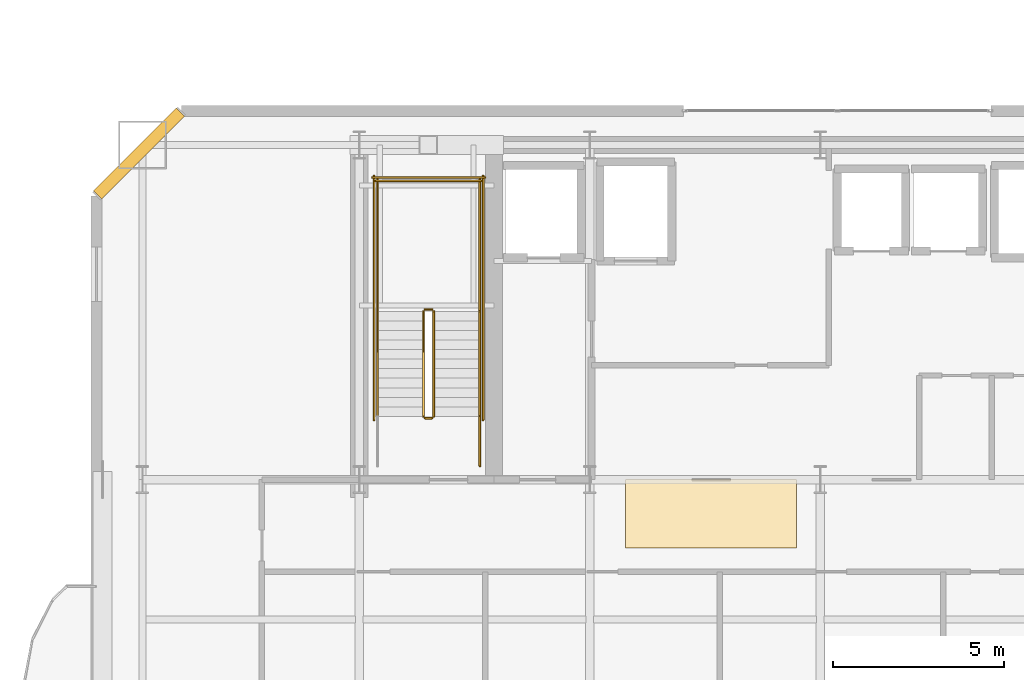
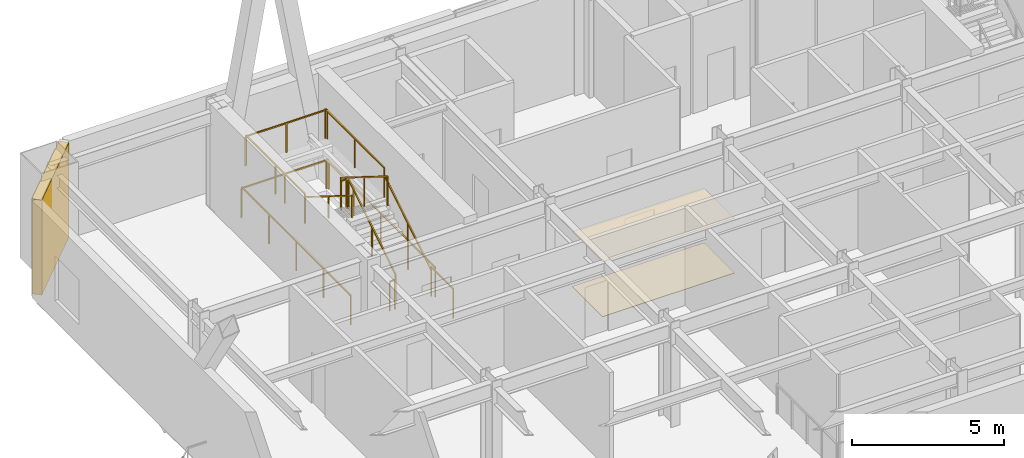
# One storey, part 18 of 22: 13 railings, 2 coverings, 1 shading device.
"""IFC4 building model written with IfcOpenShell, lengths in metres."""

from ifc_helpers import new_model, si_unit, direction, frame, origin, origin_2d, place, context, subcontext, project, spatial, polyline, rectangle, outline, extrude, material, layer, layer_set, type_object, element, save


model = new_model("IFC4")

# Units and contexts
model_context = context("Model", 3, precision=1e-05, world=origin(), true_north=direction((0.0, 1.0)))
body_context = subcontext(model_context, "Body", "Model", "MODEL_VIEW")
ifc_project = project(units=[si_unit("LENGTHUNIT", "METRE"), si_unit("AREAUNIT", "SQUARE_METRE"), si_unit("VOLUMEUNIT", "CUBIC_METRE"), si_unit("PLANEANGLEUNIT", "RADIAN"), si_unit("MASSUNIT", "GRAM", prefix="KILO")], contexts=[model_context])

# Site, building, storey
site_placement = place(None, origin())
site = spatial("IfcSite", under=ifc_project, at=site_placement, CompositionType="ELEMENT")
building_placement = place(site_placement, origin())
building = spatial("IfcBuilding", under=site, at=building_placement, Name="Haevon Station Towers", CompositionType="ELEMENT")
storey_placement = place(building_placement, frame((0.0, 0.0, 133.800048828125)))
storey = spatial("IfcBuildingStorey", under=building, at=storey_placement, Name="L36", CompositionType="ELEMENT", Elevation=133.800048828125)

# Coverings
ifc_material_1 = material(Name="Gypsum acoustic ceiling tile", Category="concrete")
ifc_layer_1 = layer(ifc_material_1, 0.014892578125)
ifc_layer_set_1 = layer_set([ifc_layer_1], Name="Gypsum acoustic ceiling tile")
covering_type_1 = type_object("IfcCoveringType", Name="COV-CEIL15", PredefinedType="CEILING", material=ifc_layer_set_1)
covering_1_placement = place(storey_placement, frame((0.0, 0.0, 2.199951171875)))
element("IfcCovering", 1, at=covering_1_placement, inside=storey, type_object=covering_type_1, Name="L36 Acoustic Corridor Ceiling", PredefinedType="CEILING", context=body_context, shape_type="SweptSolid", body=[
    extrude(outline(polyline([(31.800048828125, 36.199951171875), (36.800048828125, 36.199951171875), (36.800048828125, 38.199951171875), (31.800048828125, 38.199951171875), (31.800048828125, 36.199951171875)])), origin(), (0.0, 0.0, 1.0), 0.014892578125),
])
ifc_material_2 = material(Name="Granite stone paving", Category="masonry")
ifc_layer_2 = layer(ifc_material_2, 0.02001953125)
ifc_layer_set_2 = layer_set([ifc_layer_2], Name="Granite stone paving")
covering_type_2 = type_object("IfcCoveringType", Name="COV-FLR20", PredefinedType="FLOORING", material=ifc_layer_set_2)
covering_2_placement = place(storey_placement, origin())
element("IfcCovering", 2, at=covering_2_placement, inside=storey, type_object=covering_type_2, Name="L36 Corridor Stone Flooring", PredefinedType="FLOORING", context=body_context, shape_type="SweptSolid", body=[
    extrude(outline(polyline([(31.800048828125, 36.199951171875), (36.800048828125, 36.199951171875), (36.800048828125, 38.199951171875), (31.800048828125, 38.199951171875), (31.800048828125, 36.199951171875)])), origin(), (0.0, 0.0, 1.0), 0.02001953125),
])

# Railings
ifc_material_3 = material(Name="Steel S355", Category="steel")
railing_type_1 = type_object("IfcRailingType", Name="GRD-STR1200", PredefinedType="GUARDRAIL", material=ifc_material_3)
railing_1_placement = place(storey_placement, frame((26.179931640625, 40.050048828125, 0.175048828125)))
element("IfcRailing", 3, at=railing_1_placement, inside=storey, type_object=railing_type_1, Name="L36 ST1 Stair Guard 1", PredefinedType="GUARDRAIL", context=body_context, shape_type="SweptSolid", body=[
    extrude(rectangle(XDim=0.048095703125, YDim=0.048095703125, at=origin_2d()), frame((0.0, 0.0, 1.17578125), z_axis=(0.0, 0.848009633417, 0.529980812513), x_axis=(-1.0, 0.0, 0.0)), (0.0, 0.0, 1.0), 3.6318359375),
    extrude(rectangle(XDim=0.0419921875, YDim=0.0419921875, at=origin_2d()), origin(), (0.0, 0.0, 1.0), 1.15185546875),
    extrude(rectangle(XDim=0.0419921875, YDim=0.0419921875, at=origin_2d()), frame((0.0, 1.5400390625, 0.96240234375)), (0.0, 0.0, 1.0), 1.15185546875),
    extrude(rectangle(XDim=0.0419921875, YDim=0.0419921875, at=origin_2d()), frame((0.0, 3.079833984375, 1.9248046875)), (0.0, 0.0, 1.0), 1.15185546875),
])
railing_2_placement = place(storey_placement, frame((26.1298828125, 43.179931640625, 2.099853515625)))
element("IfcRailing", 4, at=railing_2_placement, inside=storey, type_object=railing_type_1, Name="L36 ST1 Stair Guard 2", PredefinedType="GUARDRAIL", context=body_context, shape_type="SweptSolid", body=[
    extrude(rectangle(XDim=0.048095703125, YDim=0.048095703125, at=origin_2d()), frame((0.0, 0.0, 1.17578125), z_axis=(-1.0, 0.0, 0.0), x_axis=(0.0, -1.0, 0.0)), (0.0, 0.0, 1.0), 0.199951171875),
    extrude(rectangle(XDim=0.0419921875, YDim=0.0419921875, at=origin_2d()), origin(), (0.0, 0.0, 1.0), 1.15185546875),
    extrude(rectangle(XDim=0.0419921875, YDim=0.0419921875, at=origin_2d()), frame((-0.199951171875, 0.0, 0.0)), (0.0, 0.0, 1.0), 1.15185546875),
])
for number, where, name in (
    (5, (27.530029296875, 43.1298828125, 2.099853515625), "L36 ST1 Stair Guard 3"),
    (6, (24.530029296875, 43.1298828125, 2.099853515625), "L36 ST1 Stair Guard 4"),
):
    element("IfcRailing", number, at=place(storey_placement, frame(where)), inside=storey, type_object=railing_type_1, Name=name, PredefinedType="GUARDRAIL", context=body_context, shape_type="SweptSolid", body=[
        extrude(rectangle(XDim=0.048095703125, YDim=0.048095703125, at=origin_2d()), frame((0.0, 0.0, 1.17578125), z_axis=(0.0, 1.0, 0.0), x_axis=(-1.0, 0.0, 0.0)), (0.0, 0.0, 1.0), 3.8701171875),
        extrude(rectangle(XDim=0.0419921875, YDim=0.0419921875, at=origin_2d()), origin(), (0.0, 0.0, 1.0), 1.15185546875),
        extrude(rectangle(XDim=0.0419921875, YDim=0.0419921875, at=origin_2d()), frame((0.0, 1.93505859375, 0.0)), (0.0, 0.0, 1.0), 1.15185546875),
        extrude(rectangle(XDim=0.0419921875, YDim=0.0419921875, at=origin_2d()), frame((0.0, 3.8701171875, 0.0)), (0.0, 0.0, 1.0), 1.15185546875),
    ])
railing_3_placement = place(storey_placement, frame((27.580078125, 46.949951171875, 2.099853515625)))
element("IfcRailing", 7, at=railing_3_placement, inside=storey, type_object=railing_type_1, Name="L36 ST1 Stair Guard 5", PredefinedType="GUARDRAIL", context=body_context, shape_type="SweptSolid", body=[
    extrude(rectangle(XDim=0.048095703125, YDim=0.048095703125, at=origin_2d()), frame((0.0, 0.0, 1.17578125), z_axis=(-1.0, 0.0, 0.0), x_axis=(0.0, -1.0, 0.0)), (0.0, 0.0, 1.0), 3.10009765625),
    extrude(rectangle(XDim=0.0419921875, YDim=0.0419921875, at=origin_2d()), origin(), (0.0, 0.0, 1.0), 1.15185546875),
    extrude(rectangle(XDim=0.0419921875, YDim=0.0419921875, at=origin_2d()), frame((-1.550048828125, 0.0, 0.0)), (0.0, 0.0, 1.0), 1.15185546875),
    extrude(rectangle(XDim=0.0419921875, YDim=0.0419921875, at=origin_2d()), frame((-3.10009765625, 0.0, 0.0)), (0.0, 0.0, 1.0), 1.15185546875),
])
railing_4_placement = place(storey_placement, frame((25.8798828125, 43.1298828125, 2.27490234375)))
element("IfcRailing", 8, at=railing_4_placement, inside=storey, type_object=railing_type_1, Name="L36 ST1 Stair Guard 6", PredefinedType="GUARDRAIL", context=body_context, shape_type="SweptSolid", body=[
    extrude(rectangle(XDim=0.048095703125, YDim=0.048095703125, at=origin_2d()), frame((0.0, 0.0, 1.17578125), z_axis=(0.0, -0.847979421464, 0.530029150871), x_axis=(1.0, 0.0, 0.0)), (0.0, 0.0, 1.0), 3.632080078125),
    extrude(rectangle(XDim=0.0419921875, YDim=0.0419921875, at=origin_2d()), origin(), (0.0, 0.0, 1.0), 1.15185546875),
    extrude(rectangle(XDim=0.0419921875, YDim=0.0419921875, at=origin_2d()), frame((0.0, -1.5400390625, 0.96240234375)), (0.0, 0.0, 1.0), 1.15185546875),
    extrude(rectangle(XDim=0.0419921875, YDim=0.0419921875, at=origin_2d()), frame((0.0, -3.079833984375, 1.925048828125)), (0.0, 0.0, 1.0), 1.15185546875),
])
railing_5_placement = place(storey_placement, frame((26.1298828125, 40.0, 0.0)))
element("IfcRailing", 9, at=railing_5_placement, inside=storey, type_object=railing_type_1, Name="L36 ST1 Stair Guard 7", PredefinedType="GUARDRAIL", context=body_context, shape_type="SweptSolid", body=[
    extrude(rectangle(XDim=0.048095703125, YDim=0.048095703125, at=origin_2d()), frame((0.0, 0.0, 1.17578125), z_axis=(-1.0, 0.0, 0.0), x_axis=(0.0, -1.0, 0.0)), (0.0, 0.0, 1.0), 0.199951171875),
    extrude(rectangle(XDim=0.0419921875, YDim=0.0419921875, at=origin_2d()), origin(), (0.0, 0.0, 1.0), 1.15185546875),
    extrude(rectangle(XDim=0.0419921875, YDim=0.0419921875, at=origin_2d()), frame((-0.199951171875, 0.0, 0.0)), (0.0, 0.0, 1.0), 1.15185546875),
])
railing_6_placement = place(storey_placement, frame((27.530029296875, 38.60009765625, 0.0)))
element("IfcRailing", 10, at=railing_6_placement, inside=storey, type_object=railing_type_1, Name="L36 ST1 Stair Guard 8", PredefinedType="GUARDRAIL", context=body_context, shape_type="SweptSolid", body=[
    extrude(rectangle(XDim=0.048095703125, YDim=0.048095703125, at=origin_2d()), frame((0.0, 0.0, 1.17578125), z_axis=(0.0, 1.0, 0.0), x_axis=(-1.0, 0.0, 0.0)), (0.0, 0.0, 1.0), 1.449951171875),
    extrude(rectangle(XDim=0.0419921875, YDim=0.0419921875, at=origin_2d()), origin(), (0.0, 0.0, 1.0), 1.15185546875),
    extrude(rectangle(XDim=0.0419921875, YDim=0.0419921875, at=origin_2d()), frame((0.0, 1.449951171875, 0.0)), (0.0, 0.0, 1.0), 1.15185546875),
])
for number, where, name in (
    (11, (27.6298828125, 39.949951171875, 0.0), "L36 ST1 Stair Guard 10"),
    (12, (24.429931640625, 39.949951171875, 0.0), "L36 ST1 Stair Guard 11"),
):
    element("IfcRailing", number, at=place(storey_placement, frame(where)), inside=storey, type_object=railing_type_1, Name=name, PredefinedType="GUARDRAIL", context=body_context, shape_type="SweptSolid", body=[
        extrude(rectangle(XDim=0.048095703125, YDim=0.048095703125, at=origin_2d()), frame((0.0, 0.0, 1.17578125), z_axis=(0.0, 1.0, 0.0), x_axis=(-1.0, 0.0, 0.0)), (0.0, 0.0, 1.0), 7.150146484375),
        extrude(rectangle(XDim=0.0419921875, YDim=0.0419921875, at=origin_2d()), origin(), (0.0, 0.0, 1.0), 1.15185546875),
        extrude(rectangle(XDim=0.0419921875, YDim=0.0419921875, at=origin_2d()), frame((0.0, 1.78759765625, 0.0)), (0.0, 0.0, 1.0), 1.15185546875),
        extrude(rectangle(XDim=0.0419921875, YDim=0.0419921875, at=origin_2d()), frame((0.0, 3.5751953125, 0.0)), (0.0, 0.0, 1.0), 1.15185546875),
        extrude(rectangle(XDim=0.0419921875, YDim=0.0419921875, at=origin_2d()), frame((0.0, 5.362548828125, 0.0)), (0.0, 0.0, 1.0), 1.15185546875),
        extrude(rectangle(XDim=0.0419921875, YDim=0.0419921875, at=origin_2d()), frame((0.0, 7.150146484375, 0.0)), (0.0, 0.0, 1.0), 1.15185546875),
    ])
railing_7_placement = place(storey_placement, frame((27.679931640625, 47.050048828125, 0.0)))
element("IfcRailing", 13, at=railing_7_placement, inside=storey, type_object=railing_type_1, Name="L36 ST1 Stair Guard 12", PredefinedType="GUARDRAIL", context=body_context, shape_type="SweptSolid", body=[
    extrude(rectangle(XDim=0.048095703125, YDim=0.048095703125, at=origin_2d()), frame((0.0, 0.0, 1.17578125), z_axis=(-1.0, 0.0, 0.0), x_axis=(0.0, -1.0, 0.0)), (0.0, 0.0, 1.0), 3.300048828125),
    extrude(rectangle(XDim=0.0419921875, YDim=0.0419921875, at=origin_2d()), origin(), (0.0, 0.0, 1.0), 1.15185546875),
    extrude(rectangle(XDim=0.0419921875, YDim=0.0419921875, at=origin_2d()), frame((-1.64990234375, 0.0, 0.0)), (0.0, 0.0, 1.0), 1.15185546875),
    extrude(rectangle(XDim=0.0419921875, YDim=0.0419921875, at=origin_2d()), frame((-3.300048828125, 0.0, 0.0)), (0.0, 0.0, 1.0), 1.15185546875),
])
railing_type_2 = type_object("IfcRailingType", Name="HND-STR900", PredefinedType="HANDRAIL", material=ifc_material_3)
railing_8_placement = place(storey_placement, frame((27.530029296875, 40.050048828125, 0.175048828125)))
element("IfcRailing", 14, at=railing_8_placement, inside=storey, type_object=railing_type_2, Name="L36 ST1 Stair Handrail 1", PredefinedType="HANDRAIL", context=body_context, shape_type="SweptSolid", body=[
    extrude(rectangle(XDim=0.048095703125, YDim=0.048095703125, at=origin_2d()), frame((0.0, 0.0, 0.8759765625), z_axis=(0.0, 0.848009633417, 0.529980812513), x_axis=(-1.0, 0.0, 0.0)), (0.0, 0.0, 1.0), 3.6318359375),
    extrude(rectangle(XDim=0.0419921875, YDim=0.0419921875, at=origin_2d()), origin(), (0.0, 0.0, 1.0), 0.851806640625),
    extrude(rectangle(XDim=0.0419921875, YDim=0.0419921875, at=origin_2d()), frame((0.0, 1.5400390625, 0.96240234375)), (0.0, 0.0, 1.0), 0.851806640625),
    extrude(rectangle(XDim=0.0419921875, YDim=0.0419921875, at=origin_2d()), frame((0.0, 3.079833984375, 1.9248046875)), (0.0, 0.0, 1.0), 0.851806640625),
])
railing_9_placement = place(storey_placement, frame((24.530029296875, 43.1298828125, 2.27490234375)))
element("IfcRailing", 15, at=railing_9_placement, inside=storey, type_object=railing_type_2, Name="L36 ST1 Stair Handrail 2", PredefinedType="HANDRAIL", context=body_context, shape_type="SweptSolid", body=[
    extrude(rectangle(XDim=0.048095703125, YDim=0.048095703125, at=origin_2d()), frame((0.0, 0.0, 0.8759765625), z_axis=(0.0, -0.847979421464, 0.530029150871), x_axis=(1.0, 0.0, 0.0)), (0.0, 0.0, 1.0), 3.632080078125),
    extrude(rectangle(XDim=0.0419921875, YDim=0.0419921875, at=origin_2d()), origin(), (0.0, 0.0, 1.0), 0.851806640625),
    extrude(rectangle(XDim=0.0419921875, YDim=0.0419921875, at=origin_2d()), frame((0.0, -1.5400390625, 0.96240234375)), (0.0, 0.0, 1.0), 0.851806640625),
    extrude(rectangle(XDim=0.0419921875, YDim=0.0419921875, at=origin_2d()), frame((0.0, -3.079833984375, 1.925048828125)), (0.0, 0.0, 1.0), 0.851806640625),
])

# Shading device
ifc_material_4 = material(Name="Anodised aluminium 6063-T6", Category="aluminium")
ifc_layer_3 = layer(ifc_material_4, 0.139892578125)
ifc_layer_set_3 = layer_set([ifc_layer_3], Name="Anodised aluminium 6063-T6")
shading_device_type = type_object("IfcShadingDeviceType", Name="SHD-WIND-BAFFLE", PredefinedType="SHUTTER", material=ifc_layer_set_3)
shading_device_placement = place(storey_placement, frame((17.550048828125, 47.75, 0.0498046875), z_axis=(0.0, 0.0, 1.0), x_axis=(0.707106781187, 0.707106781187, 0.0)))
element("IfcShadingDevice", 16, at=shading_device_placement, inside=storey, type_object=shading_device_type, Name="Tower 1 L36 Wind-Corner Aerofoil Baffle NWC", PredefinedType="SHUTTER", context=body_context, shape_type="SweptSolid", body=[
    extrude(rectangle(XDim=3.435546875, YDim=0.340087890625, at=origin_2d()), origin(), (0.0, 0.0, 1.0), 3.800048828125),
])

save(model, "model.ifc")
